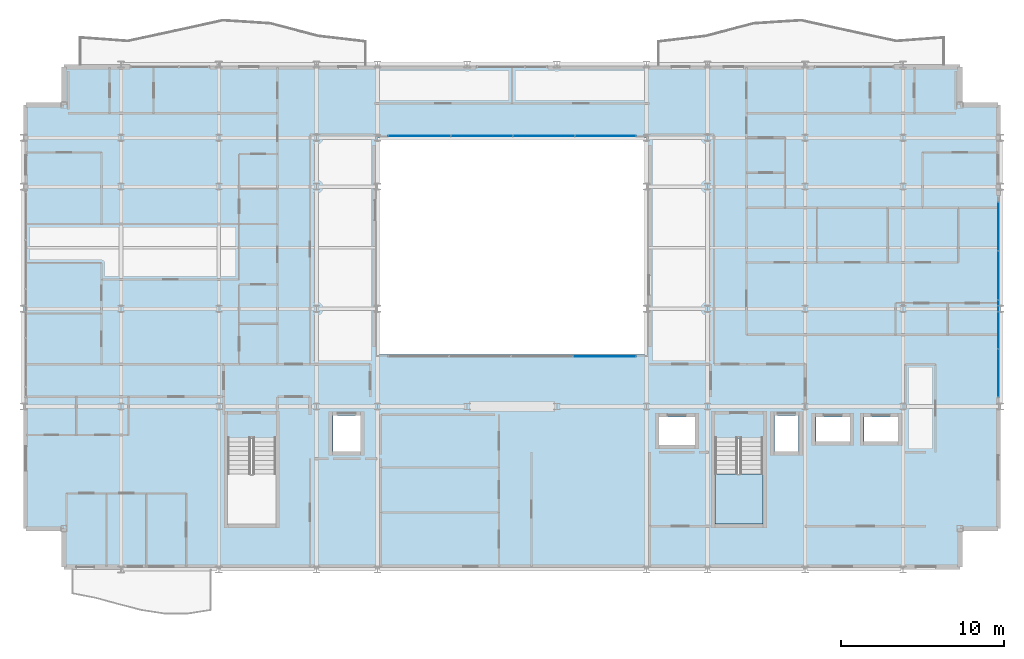
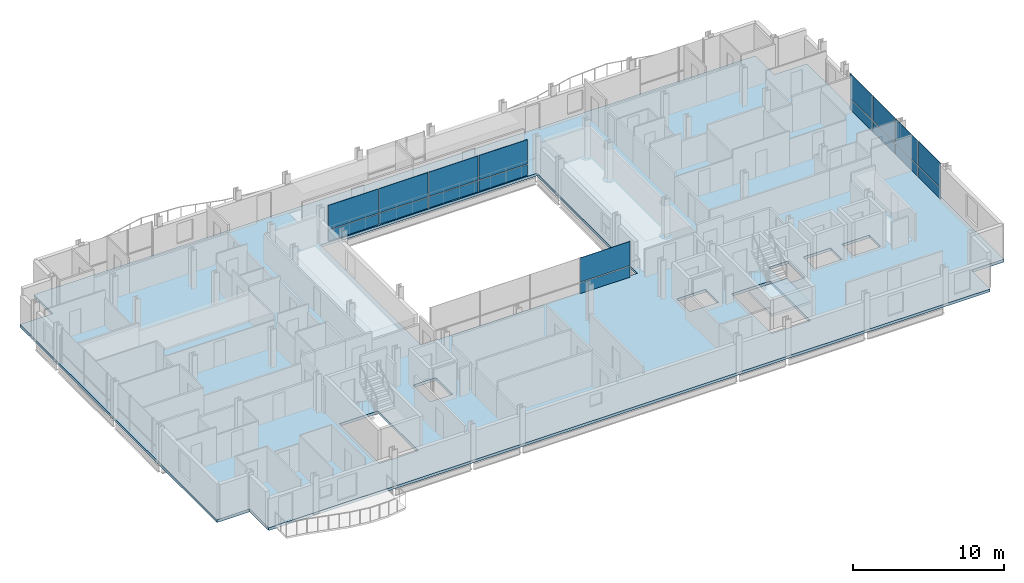
# One storey, part 29 of 41: 18 plates, 2 slabs, 4 elements without a shape of their own.
"""IFC4 building model written with IfcOpenShell, lengths in metres."""

from ifc_helpers import new_model, si_unit, direction, frame, origin, origin_2d, place, context, subcontext, project, spatial, polyline, rectangle, outline, extrude, material, layer, layer_set, type_object, element, aggregate, save


model = new_model("IFC4")

# Units and contexts
model_context = context("Model", 3, precision=1e-05, world=origin(), true_north=direction((0.0, 1.0)))
body_context = subcontext(model_context, "Body", "Model", "MODEL_VIEW")
ifc_project = project(units=[si_unit("LENGTHUNIT", "METRE"), si_unit("AREAUNIT", "SQUARE_METRE"), si_unit("VOLUMEUNIT", "CUBIC_METRE"), si_unit("PLANEANGLEUNIT", "RADIAN"), si_unit("MASSUNIT", "GRAM", prefix="KILO")], contexts=[model_context])

# Site, building, storey
site_placement = place(None, origin())
site = spatial("IfcSite", under=ifc_project, at=site_placement, CompositionType="ELEMENT")
building_placement = place(site_placement, origin())
building = spatial("IfcBuilding", under=site, at=building_placement, Name="Brevholm Reach", CompositionType="ELEMENT")
storey_placement = place(building_placement, frame((0.0, 0.0, 163.5)))
storey = spatial("IfcBuildingStorey", under=building, at=storey_placement, Name="L49", CompositionType="ELEMENT", Elevation=163.5)

# Curtain wall, plates
ifc_material_1 = material(Name="Dark Anodised Aluminium 6063-T6 and Solar-Control Glass", Category="aluminium")
ifc_layer_1 = layer(ifc_material_1, 0.14990234375)
ifc_layer_set_1 = layer_set([ifc_layer_1], Name="Dark Anodised Aluminium 6063-T6 and Solar-Control Glass")
curtain_wall_type_1 = type_object("IfcCurtainWallType", Name="CW-01", PredefinedType="NOTDEFINED", material=ifc_layer_set_1)
curtain_wall_1_placement = place(storey_placement, origin())
curtain_wall_1 = element("IfcCurtainWall", 1, at=curtain_wall_1_placement, inside=storey, type_object=curtain_wall_type_1, Name="L49 Curtain Wall CW-01", PredefinedType="NOTDEFINED")
ifc_material_2 = material(Name="Dark Solar-Control Double-Glazed IGU Glass", Category="glass")
ifc_layer_2 = layer(ifc_material_2, 0.028076171875)
ifc_layer_set_2 = layer_set([ifc_layer_2], Name="Dark Solar-Control Double-Glazed IGU Glass")
plate_type_1 = type_object("IfcPlateType", Name="CWP-GLZ-28", PredefinedType="CURTAIN_PANEL", material=ifc_layer_set_2)
plate_1_placement = place(storey_placement, frame((59.85009765625, 12.066162109375, 0.0), z_axis=(0.0, 0.0, 1.0), x_axis=(0.0, 1.0, 0.0)))
plate_1 = element("IfcPlate", 2, at=plate_1_placement, type_object=plate_type_1, Name="CP-01 Glazing Panel 1.1", PredefinedType="CURTAIN_PANEL", context=body_context, shape_type="SweptSolid", body=[
    extrude(rectangle(XDim=2.902587890625, YDim=0.028076171875, at=origin_2d()), origin(), (0.0, 0.0, 1.0), 0.867431640625),
])
plate_2_placement = place(storey_placement, frame((59.85009765625, 12.066162109375, 0.9326171875), z_axis=(0.0, 0.0, 1.0), x_axis=(0.0, 1.0, 0.0)))
plate_2 = element("IfcPlate", 3, at=plate_2_placement, type_object=plate_type_1, Name="CP-01 Glazing Panel 1.2", PredefinedType="CURTAIN_PANEL", context=body_context, shape_type="SweptSolid", body=[
    extrude(rectangle(XDim=2.902587890625, YDim=0.028076171875, at=origin_2d()), origin(), (0.0, 0.0, 1.0), 1.947509765625),
])
plate_3_placement = place(storey_placement, frame((59.85009765625, 15.050048828125, 0.0), z_axis=(0.0, 0.0, 1.0), x_axis=(0.0, 1.0, 0.0)))
plate_3 = element("IfcPlate", 4, at=plate_3_placement, type_object=plate_type_1, Name="CP-01 Glazing Panel 2.1", PredefinedType="CURTAIN_PANEL", context=body_context, shape_type="SweptSolid", body=[
    extrude(rectangle(XDim=2.93505859375, YDim=0.028076171875, at=origin_2d()), origin(), (0.0, 0.0, 1.0), 0.867431640625),
])
plate_4_placement = place(storey_placement, frame((59.85009765625, 15.050048828125, 0.9326171875), z_axis=(0.0, 0.0, 1.0), x_axis=(0.0, 1.0, 0.0)))
plate_4 = element("IfcPlate", 5, at=plate_4_placement, type_object=plate_type_1, Name="CP-01 Glazing Panel 2.2", PredefinedType="CURTAIN_PANEL", context=body_context, shape_type="SweptSolid", body=[
    extrude(rectangle(XDim=2.93505859375, YDim=0.028076171875, at=origin_2d()), origin(), (0.0, 0.0, 1.0), 1.947509765625),
])
plate_5_placement = place(storey_placement, frame((59.85009765625, 18.050048828125, 0.0), z_axis=(0.0, 0.0, 1.0), x_axis=(0.0, 1.0, 0.0)))
plate_5 = element("IfcPlate", 6, at=plate_5_placement, type_object=plate_type_1, Name="CP-01 Glazing Panel 3.1", PredefinedType="CURTAIN_PANEL", context=body_context, shape_type="SweptSolid", body=[
    extrude(rectangle(XDim=2.93505859375, YDim=0.028076171875, at=origin_2d()), origin(), (0.0, 0.0, 1.0), 0.867431640625),
])
plate_6_placement = place(storey_placement, frame((59.85009765625, 18.050048828125, 0.9326171875), z_axis=(0.0, 0.0, 1.0), x_axis=(0.0, 1.0, 0.0)))
plate_6 = element("IfcPlate", 7, at=plate_6_placement, type_object=plate_type_1, Name="CP-01 Glazing Panel 3.2", PredefinedType="CURTAIN_PANEL", context=body_context, shape_type="SweptSolid", body=[
    extrude(rectangle(XDim=2.93505859375, YDim=0.028076171875, at=origin_2d()), origin(), (0.0, 0.0, 1.0), 1.947509765625),
])
plate_7_placement = place(storey_placement, frame((59.85009765625, 21.050048828125, 0.0), z_axis=(0.0, 0.0, 1.0), x_axis=(0.0, 1.0, 0.0)))
plate_7 = element("IfcPlate", 8, at=plate_7_placement, type_object=plate_type_1, Name="CP-01 Glazing Panel 4.1", PredefinedType="CURTAIN_PANEL", context=body_context, shape_type="SweptSolid", body=[
    extrude(rectangle(XDim=2.93505859375, YDim=0.028076171875, at=origin_2d()), origin(), (0.0, 0.0, 1.0), 0.867431640625),
])
plate_8_placement = place(storey_placement, frame((59.85009765625, 21.050048828125, 0.9326171875), z_axis=(0.0, 0.0, 1.0), x_axis=(0.0, 1.0, 0.0)))
plate_8 = element("IfcPlate", 9, at=plate_8_placement, type_object=plate_type_1, Name="CP-01 Glazing Panel 4.2", PredefinedType="CURTAIN_PANEL", context=body_context, shape_type="SweptSolid", body=[
    extrude(rectangle(XDim=2.93505859375, YDim=0.028076171875, at=origin_2d()), origin(), (0.0, 0.0, 1.0), 1.947509765625),
])
aggregate(curtain_wall_1, [plate_1, plate_2, plate_3, plate_4, plate_5, plate_6, plate_7, plate_8])

ifc_material_3 = material(Name="Dark Anodised Aluminium 6063-T6 and Solar-Control Glass", Category="aluminium")
ifc_layer_3 = layer(ifc_material_3, 0.139892578125)
ifc_layer_set_3 = layer_set([ifc_layer_3], Name="Dark Anodised Aluminium 6063-T6 and Solar-Control Glass")
curtain_wall_type_2 = type_object("IfcCurtainWallType", Name="CW-02", PredefinedType="NOTDEFINED", material=ifc_layer_set_3)
curtain_wall_2_placement = place(storey_placement, origin())
curtain_wall_2 = element("IfcCurtainWall", 10, at=curtain_wall_2_placement, inside=storey, type_object=curtain_wall_type_2, Name="L49 Curtain Wall CW-02", PredefinedType="NOTDEFINED")
ifc_material_4 = material(Name="Low-Iron Laminated Acoustic Glass", Category="glass")
ifc_layer_4 = layer(ifc_material_4, 0.035888671875)
ifc_layer_set_4 = layer_set([ifc_layer_4], Name="Low-Iron Laminated Acoustic Glass")
plate_type_2 = type_object("IfcPlateType", Name="CWP-GLZ-36", PredefinedType="CURTAIN_PANEL", material=ifc_layer_set_4)
plate_9_placement = place(storey_placement, frame((35.68505859375, 13.080078125, 0.0), z_axis=(0.0, 0.0, 1.0), x_axis=(1.0, 0.0, 0.0)))
plate_9 = element("IfcPlate", 11, at=plate_9_placement, type_object=plate_type_2, Name="CP-02 Glazing Panel 4.1", PredefinedType="CURTAIN_PANEL", context=body_context, shape_type="SweptSolid", body=[
    extrude(rectangle(XDim=3.81005859375, YDim=0.035888671875, at=origin_2d()), origin(), (0.0, 0.0, 1.0), 0.8701171875),
])
plate_10_placement = place(storey_placement, frame((35.68505859375, 13.080078125, 0.93017578125), z_axis=(0.0, 0.0, 1.0), x_axis=(1.0, 0.0, 0.0)))
plate_10 = element("IfcPlate", 12, at=plate_10_placement, type_object=plate_type_2, Name="CP-02 Glazing Panel 4.2", PredefinedType="CURTAIN_PANEL", context=body_context, shape_type="SweptSolid", body=[
    extrude(rectangle(XDim=3.81005859375, YDim=0.035888671875, at=origin_2d()), origin(), (0.0, 0.0, 1.0), 1.949951171875),
])
aggregate(curtain_wall_2, [plate_9, plate_10])

curtain_wall_3_placement = place(storey_placement, origin())
curtain_wall_3 = element("IfcCurtainWall", 13, at=curtain_wall_3_placement, inside=storey, type_object=curtain_wall_type_2, Name="L49 Curtain Wall CW-02", PredefinedType="NOTDEFINED")
plate_11_placement = place(storey_placement, frame((35.735107421875, 26.6201171875, 0.0), z_axis=(0.0, 0.0, 1.0), x_axis=(-1.0, 0.0, 0.0)))
plate_11 = element("IfcPlate", 14, at=plate_11_placement, type_object=plate_type_2, Name="CP-02 Glazing Panel 1.1", PredefinedType="CURTAIN_PANEL", context=body_context, shape_type="SweptSolid", body=[
    extrude(rectangle(XDim=3.7099609375, YDim=0.035888671875, at=origin_2d()), origin(), (0.0, 0.0, 1.0), 0.8701171875),
])
plate_12_placement = place(storey_placement, frame((35.735107421875, 26.6201171875, 0.93017578125), z_axis=(0.0, 0.0, 1.0), x_axis=(-1.0, 0.0, 0.0)))
plate_12 = element("IfcPlate", 15, at=plate_12_placement, type_object=plate_type_2, Name="CP-02 Glazing Panel 1.2", PredefinedType="CURTAIN_PANEL", context=body_context, shape_type="SweptSolid", body=[
    extrude(rectangle(XDim=3.7099609375, YDim=0.035888671875, at=origin_2d()), origin(), (0.0, 0.0, 1.0), 1.949951171875),
])
plate_13_placement = place(storey_placement, frame((31.949951171875, 26.6201171875, 0.0), z_axis=(0.0, 0.0, 1.0), x_axis=(-1.0, 0.0, 0.0)))
plate_13 = element("IfcPlate", 16, at=plate_13_placement, type_object=plate_type_2, Name="CP-02 Glazing Panel 2.1", PredefinedType="CURTAIN_PANEL", context=body_context, shape_type="SweptSolid", body=[
    extrude(rectangle(XDim=3.739990234375, YDim=0.035888671875, at=origin_2d()), origin(), (0.0, 0.0, 1.0), 0.8701171875),
])
plate_14_placement = place(storey_placement, frame((31.949951171875, 26.6201171875, 0.93017578125), z_axis=(0.0, 0.0, 1.0), x_axis=(-1.0, 0.0, 0.0)))
plate_14 = element("IfcPlate", 17, at=plate_14_placement, type_object=plate_type_2, Name="CP-02 Glazing Panel 2.2", PredefinedType="CURTAIN_PANEL", context=body_context, shape_type="SweptSolid", body=[
    extrude(rectangle(XDim=3.739990234375, YDim=0.035888671875, at=origin_2d()), origin(), (0.0, 0.0, 1.0), 1.949951171875),
])
plate_15_placement = place(storey_placement, frame((28.14990234375, 26.6201171875, 0.0), z_axis=(0.0, 0.0, 1.0), x_axis=(-1.0, 0.0, 0.0)))
plate_15 = element("IfcPlate", 18, at=plate_15_placement, type_object=plate_type_2, Name="CP-02 Glazing Panel 3.1", PredefinedType="CURTAIN_PANEL", context=body_context, shape_type="SweptSolid", body=[
    extrude(rectangle(XDim=3.739990234375, YDim=0.035888671875, at=origin_2d()), origin(), (0.0, 0.0, 1.0), 0.8701171875),
])
plate_16_placement = place(storey_placement, frame((28.14990234375, 26.6201171875, 0.93017578125), z_axis=(0.0, 0.0, 1.0), x_axis=(-1.0, 0.0, 0.0)))
plate_16 = element("IfcPlate", 19, at=plate_16_placement, type_object=plate_type_2, Name="CP-02 Glazing Panel 3.2", PredefinedType="CURTAIN_PANEL", context=body_context, shape_type="SweptSolid", body=[
    extrude(rectangle(XDim=3.739990234375, YDim=0.035888671875, at=origin_2d()), origin(), (0.0, 0.0, 1.0), 1.949951171875),
])
plate_17_placement = place(storey_placement, frame((24.31494140625, 26.6201171875, 0.0), z_axis=(0.0, 0.0, 1.0), x_axis=(-1.0, 0.0, 0.0)))
plate_17 = element("IfcPlate", 20, at=plate_17_placement, type_object=plate_type_2, Name="CP-02 Glazing Panel 4.1", PredefinedType="CURTAIN_PANEL", context=body_context, shape_type="SweptSolid", body=[
    extrude(rectangle(XDim=3.81005859375, YDim=0.035888671875, at=origin_2d()), origin(), (0.0, 0.0, 1.0), 0.8701171875),
])
plate_18_placement = place(storey_placement, frame((24.31494140625, 26.6201171875, 0.93017578125), z_axis=(0.0, 0.0, 1.0), x_axis=(-1.0, 0.0, 0.0)))
plate_18 = element("IfcPlate", 21, at=plate_18_placement, type_object=plate_type_2, Name="CP-02 Glazing Panel 4.2", PredefinedType="CURTAIN_PANEL", context=body_context, shape_type="SweptSolid", body=[
    extrude(rectangle(XDim=3.81005859375, YDim=0.035888671875, at=origin_2d()), origin(), (0.0, 0.0, 1.0), 1.949951171875),
])
aggregate(curtain_wall_3, [plate_11, plate_12, plate_13, plate_14, plate_15, plate_16, plate_17, plate_18])

# Slab
ifc_material_5 = material(Name="Concrete C40/50", Category="concrete")
ifc_layer_5 = layer(ifc_material_5, 0.219970703125)
ifc_layer_set_5 = layer_set([ifc_layer_5], Name="Concrete C40/50")
slab_type_1 = type_object("IfcSlabType", Name="SLB-FL-220", PredefinedType="FLOOR", material=ifc_layer_set_5)
slab_1_placement = place(storey_placement, frame((0.0, 0.0, -0.219970703125)))
element("IfcSlab", 22, at=slab_1_placement, inside=storey, type_object=slab_type_1, Name="L49 Suspended Floor Slab (main)", PredefinedType="FLOOR", context=body_context, shape_type="SweptSolid", body=[
    extrude(outline(polyline([(2.5, 0.0), (57.5, 0.0), (57.5, 2.5), (60.0, 2.5), (60.0, 28.5), (57.5, 28.5), (57.5, 31.0), (2.5, 31.0), (2.5, 28.5), (0.0, 28.5), (0.0, 2.5), (2.5, 2.5), (2.5, 0.0)]), holes=[polyline([(21.75, 13.199951171875), (38.25, 13.199951171875), (38.25, 26.5), (21.75, 26.5), (21.75, 13.199951171875)]), polyline([(12.550048828125, 2.780029296875), (15.5, 2.780029296875), (15.5, 8.044921875), (12.550048828125, 8.044921875), (12.550048828125, 2.780029296875)]), polyline([(42.449951171875, 2.780029296875), (45.39990234375, 2.780029296875), (45.39990234375, 8.044921875), (42.449951171875, 8.044921875), (42.449951171875, 2.780029296875)]), polyline([(19.0, 7.25), (20.699951171875, 7.25), (20.699951171875, 9.449951171875), (19.0, 9.449951171875), (19.0, 7.25)]), polyline([(46.10009765625, 7.25), (47.60009765625, 7.25), (47.60009765625, 9.449951171875), (46.10009765625, 9.449951171875), (46.10009765625, 7.25)]), polyline([(39.02001953125, 7.64990234375), (41.219970703125, 7.64990234375), (41.219970703125, 9.35009765625), (39.02001953125, 9.35009765625), (39.02001953125, 7.64990234375)]), polyline([(48.64990234375, 7.85009765625), (50.75, 7.85009765625), (50.75, 9.35009765625), (48.64990234375, 9.35009765625), (48.64990234375, 7.85009765625)]), polyline([(51.60009765625, 7.85009765625), (53.699951171875, 7.85009765625), (53.699951171875, 9.35009765625), (51.60009765625, 9.35009765625), (51.60009765625, 7.85009765625)])]), origin(), (0.0, 0.0, 1.0), 0.219970703125),
])

# Stair, slab
ifc_material_6 = material(Name="Precast Concrete C40/50", Category="concrete")
stair_type = type_object("IfcStairType", Name="STR-ESC-1400", PredefinedType="DOUBLE_RETURN_STAIR", material=ifc_material_6)
stair_placement = place(storey_placement, origin())
stair = element("IfcStair", 23, at=stair_placement, inside=storey, type_object=stair_type, Name="L49 ST-2", PredefinedType="DOUBLE_RETURN_STAIR")
ifc_material_7 = material(Name="Concrete C40/50", Category="concrete")
ifc_layer_6 = layer(ifc_material_7, 0.199951171875)
ifc_layer_set_6 = layer_set([ifc_layer_6], Name="Concrete C40/50")
slab_type_2 = type_object("IfcSlabType", Name="SLB-LND-200", PredefinedType="LANDING", material=ifc_layer_set_6)
slab_2_placement = place(storey_placement, frame((0.0, 0.0, 1.35009765625)))
slab_2 = element("IfcSlab", 24, at=slab_2_placement, type_object=slab_type_2, Name="ST-2 landing 1", PredefinedType="LANDING", context=body_context, shape_type="SweptSolid", body=[
    extrude(outline(polyline([(42.449951171875, 5.860107421875), (42.449951171875, 2.780029296875), (45.39990234375, 2.780029296875), (45.39990234375, 5.860107421875), (42.449951171875, 5.860107421875)])), origin(), (0.0, 0.0, 1.0), 0.199951171875),
])
aggregate(stair, [slab_2])

save(model, "model.ifc")
